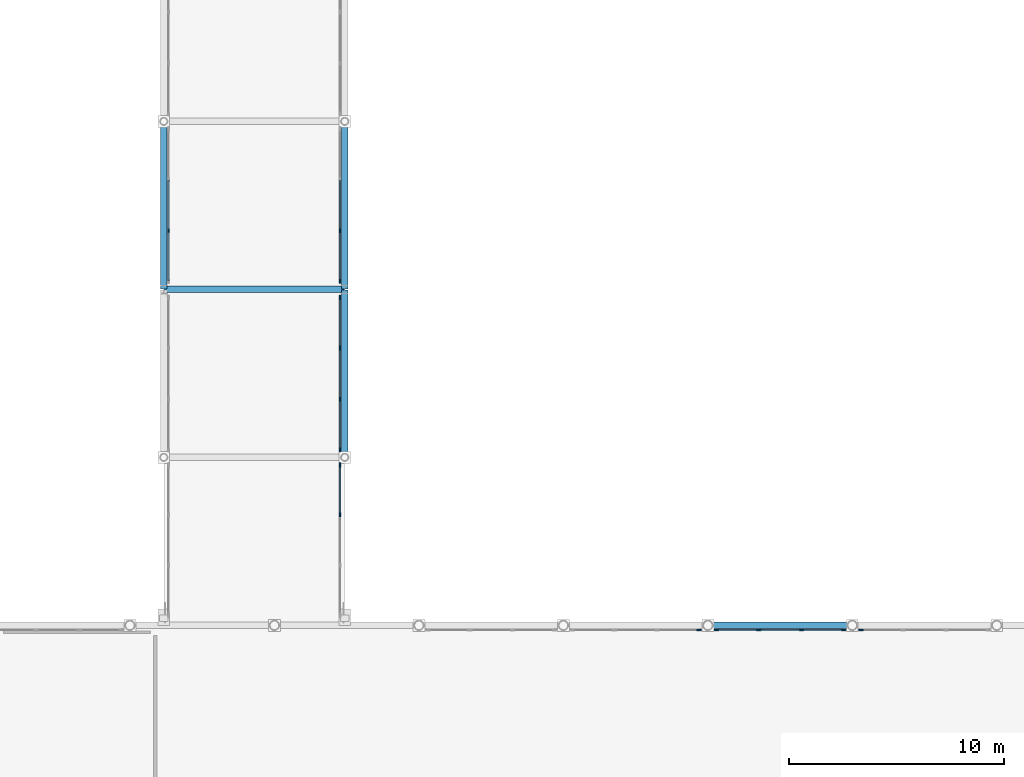
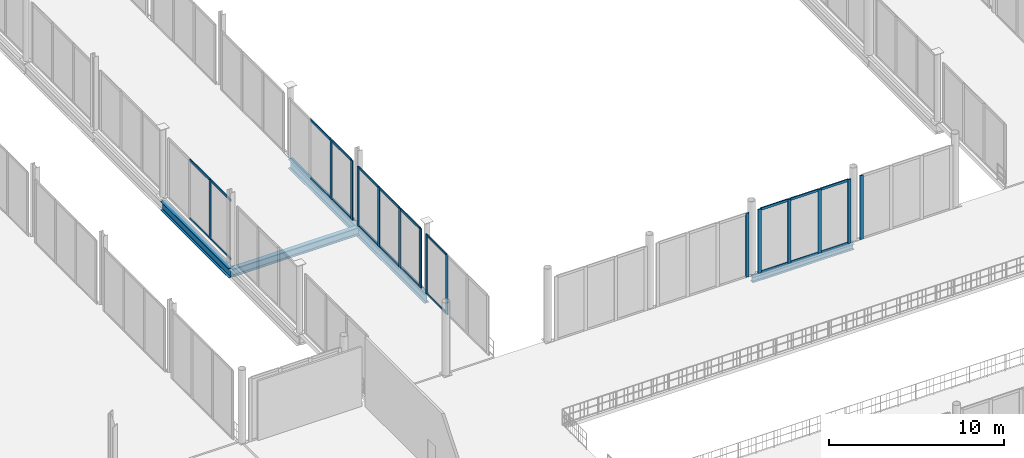
# One storey, part 36 of 105: 37 members, 5 beams, 7 elements without a shape of their own.
"""IFC4 building model written with IfcOpenShell, lengths in metres."""

from ifc_helpers import new_model, si_unit, direction, frame, origin, origin_2d, place, context, subcontext, project, spatial, rectangle, i_section, extrude, material, material_profile, profile_set, type_object, element, aggregate, save


model = new_model("IFC4")

# Units and contexts
model_context = context("Model", 3, precision=1e-05, world=origin(), true_north=direction((0.0, 1.0)))
body_context = subcontext(model_context, "Body", "Model", "MODEL_VIEW")
ifc_project = project(units=[si_unit("LENGTHUNIT", "METRE"), si_unit("AREAUNIT", "SQUARE_METRE"), si_unit("VOLUMEUNIT", "CUBIC_METRE"), si_unit("PLANEANGLEUNIT", "RADIAN"), si_unit("MASSUNIT", "GRAM", prefix="KILO")], contexts=[model_context])

# Site, building, storey
site_placement = place(None, origin())
site = spatial("IfcSite", under=ifc_project, at=site_placement, CompositionType="ELEMENT")
building_placement = place(site_placement, origin())
building = spatial("IfcBuilding", under=site, at=building_placement, Name="Nabrawat Pavilion Hospital", CompositionType="ELEMENT")
storey_placement = place(building_placement, frame((0.0, 0.0, 5.10009765625)))
storey = spatial("IfcBuildingStorey", under=building, at=storey_placement, Name="L01", CompositionType="ELEMENT", Elevation=5.10009765625)

# Beams
ifc_material_1 = material(Name="Steel S355", Category="steel")
ifc_material_profile_1 = material_profile(ifc_material_1, i_section(OverallWidth=0.300048828125, OverallDepth=0.64990234375, WebThickness=0.01611328125, FlangeThickness=0.031005859375, FilletRadius=0.027099609375, at=origin_2d()), Name="HEB 650")
ifc_profile_set_1 = profile_set([ifc_material_profile_1], Name="Steel S355")
beam_type_1 = type_object("IfcBeamType", Name="Courtyard Link Bridge Edge Girder HEB 650", PredefinedType="USERDEFINED", material=ifc_profile_set_1)
beam_1_placement = place(storey_placement, frame((67.199951171875, 54.6201171875, -0.614990234375), z_axis=(0.0, 1.0, 0.0), x_axis=(-1.0, 0.0, 0.0)))
element("IfcBeam", 1, at=beam_1_placement, inside=storey, type_object=beam_type_1, Name="L01 Courtyard Link Bridge Edge Girder 761", ObjectType="GIRDER", PredefinedType="USERDEFINED", context=body_context, shape_type="SweptSolid", body=[
    extrude(i_section(OverallWidth=0.300048828125, OverallDepth=0.64990234375, WebThickness=0.01611328125, FlangeThickness=0.031005859375, FilletRadius=0.027099609375, at=origin_2d()), origin(), (0.0, 0.0, 1.0), 7.759765625),
])
beam_2_placement = place(storey_placement, frame((75.60009765625, 46.820068359375, -0.614990234375), z_axis=(0.0, 1.0, 0.0), x_axis=(-1.0, 0.0, 0.0)))
element("IfcBeam", 2, at=beam_2_placement, inside=storey, type_object=beam_type_1, Name="L01 Courtyard Link Bridge Edge Girder 769", ObjectType="GIRDER", PredefinedType="USERDEFINED", context=body_context, shape_type="SweptSolid", body=[
    extrude(i_section(OverallWidth=0.300048828125, OverallDepth=0.64990234375, WebThickness=0.01611328125, FlangeThickness=0.031005859375, FilletRadius=0.027099609375, at=origin_2d()), origin(), (0.0, 0.0, 1.0), 7.760009765625),
])
beam_3_placement = place(storey_placement, frame((75.60009765625, 54.6201171875, -0.614990234375), z_axis=(0.0, 1.0, 0.0), x_axis=(-1.0, 0.0, 0.0)))
element("IfcBeam", 3, at=beam_3_placement, inside=storey, type_object=beam_type_1, Name="L01 Courtyard Link Bridge Edge Girder 770", ObjectType="GIRDER", PredefinedType="USERDEFINED", context=body_context, shape_type="SweptSolid", body=[
    extrude(i_section(OverallWidth=0.300048828125, OverallDepth=0.64990234375, WebThickness=0.01611328125, FlangeThickness=0.031005859375, FilletRadius=0.027099609375, at=origin_2d()), origin(), (0.0, 0.0, 1.0), 7.759765625),
])

# Curtain wall, member
ifc_material_2 = material(Name="Anodised Aluminium", Category="aluminium")
curtain_wall_type_1 = type_object("IfcCurtainWallType", Name="Courtyard Link Bridge Glazed Curtain Wall", PredefinedType="USERDEFINED", material=ifc_material_2)
curtain_wall_1_placement = place(storey_placement, origin())
curtain_wall_1 = element("IfcCurtainWall", 4, at=curtain_wall_1_placement, inside=storey, type_object=curtain_wall_type_1, Name="L01 Courtyard Link Bridge Glazed Curtain Wall 054", ObjectType="CURTAIN WALL", PredefinedType="USERDEFINED")
ifc_material_profile_2 = material_profile(ifc_material_2, rectangle(XDim=0.070068359375, YDim=0.199951171875, at=origin_2d()), Name="CWM 70x200")
ifc_profile_set_2 = profile_set([ifc_material_profile_2], Name="Anodised Aluminium")
member_type_1 = type_object("IfcMemberType", Name="Courtyard Link Bridge Glazed Curtain Wall Mullion CWM 70x200", PredefinedType="MULLION", material=ifc_profile_set_2)
member_1_placement = place(storey_placement, frame((67.419921875, 57.32080078125, 0.0), z_axis=(0.0, 0.0, 1.0), x_axis=(-1.0, 0.0, 0.0)))
member_1 = element("IfcMember", 5, at=member_1_placement, type_object=member_type_1, Name="CW-BRG-01 mullion 2", PredefinedType="MULLION", context=body_context, shape_type="SweptSolid", body=[
    extrude(rectangle(XDim=0.070068359375, YDim=0.199951171875, at=origin_2d()), origin(), (0.0, 0.0, 1.0), 4.139892578125),
])

# Curtain wall, members
curtain_wall_2_placement = place(storey_placement, origin())
curtain_wall_2 = element("IfcCurtainWall", 6, at=curtain_wall_2_placement, inside=storey, type_object=curtain_wall_type_1, Name="L01 Courtyard Link Bridge Glazed Curtain Wall 058", ObjectType="CURTAIN WALL", PredefinedType="USERDEFINED")
member_2_placement = place(storey_placement, frame((75.3798828125, 44.134765625, 0.0), z_axis=(0.0, 0.0, 1.0), x_axis=(-1.0, 0.0, 0.0)))
member_2 = element("IfcMember", 7, at=member_2_placement, type_object=member_type_1, Name="CW-BRG-01 mullion 3", PredefinedType="MULLION", context=body_context, shape_type="SweptSolid", body=[
    extrude(rectangle(XDim=0.070068359375, YDim=0.199951171875, at=origin_2d()), origin(), (0.0, 0.0, 1.0), 4.139892578125),
])
member_3_placement = place(storey_placement, frame((75.3798828125, 46.447265625, 0.0), z_axis=(0.0, 0.0, 1.0), x_axis=(-1.0, 0.0, 0.0)))
member_3 = element("IfcMember", 8, at=member_3_placement, type_object=member_type_1, Name="CW-BRG-01 mullion 4", PredefinedType="MULLION", context=body_context, shape_type="SweptSolid", body=[
    extrude(rectangle(XDim=0.070068359375, YDim=0.199951171875, at=origin_2d()), origin(), (0.0, 0.0, 1.0), 4.139892578125),
])

curtain_wall_3_placement = place(storey_placement, origin())
curtain_wall_3 = element("IfcCurtainWall", 9, at=curtain_wall_3_placement, inside=storey, type_object=curtain_wall_type_1, Name="L01 Courtyard Link Bridge Glazed Curtain Wall 059", ObjectType="CURTAIN WALL", PredefinedType="USERDEFINED")
member_4_placement = place(storey_placement, frame((75.3798828125, 47.15283203125, 0.0), z_axis=(0.0, 0.0, 1.0), x_axis=(-1.0, 0.0, 0.0)))
member_4 = element("IfcMember", 10, at=member_4_placement, type_object=member_type_1, Name="CW-BRG-01 mullion 1", PredefinedType="MULLION", context=body_context, shape_type="SweptSolid", body=[
    extrude(rectangle(XDim=0.070068359375, YDim=0.199951171875, at=origin_2d()), origin(), (0.0, 0.0, 1.0), 4.139892578125),
])
member_5_placement = place(storey_placement, frame((75.3798828125, 49.49853515625, 0.0), z_axis=(0.0, 0.0, 1.0), x_axis=(-1.0, 0.0, 0.0)))
member_5 = element("IfcMember", 11, at=member_5_placement, type_object=member_type_1, Name="CW-BRG-01 mullion 2", PredefinedType="MULLION", context=body_context, shape_type="SweptSolid", body=[
    extrude(rectangle(XDim=0.070068359375, YDim=0.199951171875, at=origin_2d()), origin(), (0.0, 0.0, 1.0), 4.139892578125),
])
member_6_placement = place(storey_placement, frame((75.3798828125, 51.879150390625, 0.0), z_axis=(0.0, 0.0, 1.0), x_axis=(-1.0, 0.0, 0.0)))
member_6 = element("IfcMember", 12, at=member_6_placement, type_object=member_type_1, Name="CW-BRG-01 mullion 3", PredefinedType="MULLION", context=body_context, shape_type="SweptSolid", body=[
    extrude(rectangle(XDim=0.070068359375, YDim=0.199951171875, at=origin_2d()), origin(), (0.0, 0.0, 1.0), 4.139892578125),
])
member_7_placement = place(storey_placement, frame((75.3798828125, 54.22509765625, 0.0), z_axis=(0.0, 0.0, 1.0), x_axis=(-1.0, 0.0, 0.0)))
member_7 = element("IfcMember", 13, at=member_7_placement, type_object=member_type_1, Name="CW-BRG-01 mullion 4", PredefinedType="MULLION", context=body_context, shape_type="SweptSolid", body=[
    extrude(rectangle(XDim=0.070068359375, YDim=0.199951171875, at=origin_2d()), origin(), (0.0, 0.0, 1.0), 4.139892578125),
])

curtain_wall_4_placement = place(storey_placement, origin())
curtain_wall_4 = element("IfcCurtainWall", 14, at=curtain_wall_4_placement, inside=storey, type_object=curtain_wall_type_1, Name="L01 Courtyard Link Bridge Glazed Curtain Wall 060", ObjectType="CURTAIN WALL", PredefinedType="USERDEFINED")
member_8_placement = place(storey_placement, frame((75.3798828125, 54.97509765625, 0.0), z_axis=(0.0, 0.0, 1.0), x_axis=(-1.0, 0.0, 0.0)))
member_8 = element("IfcMember", 15, at=member_8_placement, type_object=member_type_1, Name="CW-BRG-01 mullion 1", PredefinedType="MULLION", context=body_context, shape_type="SweptSolid", body=[
    extrude(rectangle(XDim=0.070068359375, YDim=0.199951171875, at=origin_2d()), origin(), (0.0, 0.0, 1.0), 4.139892578125),
])
member_9_placement = place(storey_placement, frame((75.3798828125, 57.32080078125, 0.0), z_axis=(0.0, 0.0, 1.0), x_axis=(-1.0, 0.0, 0.0)))
member_9 = element("IfcMember", 16, at=member_9_placement, type_object=member_type_1, Name="CW-BRG-01 mullion 2", PredefinedType="MULLION", context=body_context, shape_type="SweptSolid", body=[
    extrude(rectangle(XDim=0.070068359375, YDim=0.199951171875, at=origin_2d()), origin(), (0.0, 0.0, 1.0), 4.139892578125),
])

# Member
ifc_material_profile_3 = material_profile(ifc_material_2, rectangle(XDim=0.070068359375, YDim=0.14990234375, at=origin_2d()), Name="CWT 70x150")
ifc_profile_set_3 = profile_set([ifc_material_profile_3], Name="Anodised Aluminium")
member_type_2 = type_object("IfcMemberType", Name="Courtyard Link Bridge Glazed Curtain Wall Transom CWT 70x150", PredefinedType="USERDEFINED", material=ifc_profile_set_3)
member_10_placement = place(storey_placement, frame((67.419921875, 55.010009765625, 0.034912109375), z_axis=(0.0, 1.0, 0.0), x_axis=(-1.0, 0.0, 0.0)))
member_10 = element("IfcMember", 17, at=member_10_placement, type_object=member_type_2, Name="CW-BRG-01 transom 1.1", ObjectType="TRANSOM", PredefinedType="USERDEFINED", context=body_context, shape_type="SweptSolid", body=[
    extrude(rectangle(XDim=0.070068359375, YDim=0.14990234375, at=origin_2d()), origin(), (0.0, 0.0, 1.0), 2.275634765625),
])

member_11_placement = place(storey_placement, frame((67.419921875, 55.010009765625, 4.10498046875), z_axis=(0.0, 1.0, 0.0), x_axis=(-1.0, 0.0, 0.0)))
member_11 = element("IfcMember", 18, at=member_11_placement, type_object=member_type_2, Name="CW-BRG-01 transom 1.2", ObjectType="TRANSOM", PredefinedType="USERDEFINED", context=body_context, shape_type="SweptSolid", body=[
    extrude(rectangle(XDim=0.070068359375, YDim=0.14990234375, at=origin_2d()), origin(), (0.0, 0.0, 1.0), 2.275634765625),
])

member_12_placement = place(storey_placement, frame((67.419921875, 57.355712890625, 0.034912109375), z_axis=(0.0, 1.0, 0.0), x_axis=(-1.0, 0.0, 0.0)))
member_12 = element("IfcMember", 19, at=member_12_placement, type_object=member_type_2, Name="CW-BRG-01 transom 2.1", ObjectType="TRANSOM", PredefinedType="USERDEFINED", context=body_context, shape_type="SweptSolid", body=[
    extrude(rectangle(XDim=0.070068359375, YDim=0.14990234375, at=origin_2d()), origin(), (0.0, 0.0, 1.0), 2.310791015625),
])

member_13_placement = place(storey_placement, frame((67.419921875, 57.355712890625, 4.10498046875), z_axis=(0.0, 1.0, 0.0), x_axis=(-1.0, 0.0, 0.0)))
member_13 = element("IfcMember", 20, at=member_13_placement, type_object=member_type_2, Name="CW-BRG-01 transom 2.2", ObjectType="TRANSOM", PredefinedType="USERDEFINED", context=body_context, shape_type="SweptSolid", body=[
    extrude(rectangle(XDim=0.070068359375, YDim=0.14990234375, at=origin_2d()), origin(), (0.0, 0.0, 1.0), 2.310791015625),
])

aggregate(curtain_wall_1, [member_1, member_10, member_11, member_12, member_13])

member_14_placement = place(storey_placement, frame((75.3798828125, 44.169921875, 0.034912109375), z_axis=(0.0, 1.0, 0.0), x_axis=(-1.0, 0.0, 0.0)))
member_14 = element("IfcMember", 21, at=member_14_placement, type_object=member_type_2, Name="CW-BRG-01 transom 3.1", ObjectType="TRANSOM", PredefinedType="USERDEFINED", context=body_context, shape_type="SweptSolid", body=[
    extrude(rectangle(XDim=0.070068359375, YDim=0.14990234375, at=origin_2d()), origin(), (0.0, 0.0, 1.0), 2.2421875),
])

member_15_placement = place(storey_placement, frame((75.3798828125, 44.169921875, 4.10498046875), z_axis=(0.0, 1.0, 0.0), x_axis=(-1.0, 0.0, 0.0)))
member_15 = element("IfcMember", 22, at=member_15_placement, type_object=member_type_2, Name="CW-BRG-01 transom 3.2", ObjectType="TRANSOM", PredefinedType="USERDEFINED", context=body_context, shape_type="SweptSolid", body=[
    extrude(rectangle(XDim=0.070068359375, YDim=0.14990234375, at=origin_2d()), origin(), (0.0, 0.0, 1.0), 2.2421875),
])

aggregate(curtain_wall_2, [member_2, member_3, member_14, member_15])

member_16_placement = place(storey_placement, frame((75.3798828125, 47.187744140625, 0.034912109375), z_axis=(0.0, 1.0, 0.0), x_axis=(-1.0, 0.0, 0.0)))
member_16 = element("IfcMember", 23, at=member_16_placement, type_object=member_type_2, Name="CW-BRG-01 transom 1.1", ObjectType="TRANSOM", PredefinedType="USERDEFINED", context=body_context, shape_type="SweptSolid", body=[
    extrude(rectangle(XDim=0.070068359375, YDim=0.14990234375, at=origin_2d()), origin(), (0.0, 0.0, 1.0), 2.27587890625),
])

member_17_placement = place(storey_placement, frame((75.3798828125, 47.187744140625, 4.10498046875), z_axis=(0.0, 1.0, 0.0), x_axis=(-1.0, 0.0, 0.0)))
member_17 = element("IfcMember", 24, at=member_17_placement, type_object=member_type_2, Name="CW-BRG-01 transom 1.2", ObjectType="TRANSOM", PredefinedType="USERDEFINED", context=body_context, shape_type="SweptSolid", body=[
    extrude(rectangle(XDim=0.070068359375, YDim=0.14990234375, at=origin_2d()), origin(), (0.0, 0.0, 1.0), 2.27587890625),
])

member_18_placement = place(storey_placement, frame((75.3798828125, 49.533447265625, 0.034912109375), z_axis=(0.0, 1.0, 0.0), x_axis=(-1.0, 0.0, 0.0)))
member_18 = element("IfcMember", 25, at=member_18_placement, type_object=member_type_2, Name="CW-BRG-01 transom 2.1", ObjectType="TRANSOM", PredefinedType="USERDEFINED", context=body_context, shape_type="SweptSolid", body=[
    extrude(rectangle(XDim=0.070068359375, YDim=0.14990234375, at=origin_2d()), origin(), (0.0, 0.0, 1.0), 2.310791015625),
])

member_19_placement = place(storey_placement, frame((75.3798828125, 49.533447265625, 4.10498046875), z_axis=(0.0, 1.0, 0.0), x_axis=(-1.0, 0.0, 0.0)))
member_19 = element("IfcMember", 26, at=member_19_placement, type_object=member_type_2, Name="CW-BRG-01 transom 2.2", ObjectType="TRANSOM", PredefinedType="USERDEFINED", context=body_context, shape_type="SweptSolid", body=[
    extrude(rectangle(XDim=0.070068359375, YDim=0.14990234375, at=origin_2d()), origin(), (0.0, 0.0, 1.0), 2.310791015625),
])

member_20_placement = place(storey_placement, frame((75.3798828125, 51.914306640625, 0.034912109375), z_axis=(0.0, 1.0, 0.0), x_axis=(-1.0, 0.0, 0.0)))
member_20 = element("IfcMember", 27, at=member_20_placement, type_object=member_type_2, Name="CW-BRG-01 transom 3.1", ObjectType="TRANSOM", PredefinedType="USERDEFINED", context=body_context, shape_type="SweptSolid", body=[
    extrude(rectangle(XDim=0.070068359375, YDim=0.14990234375, at=origin_2d()), origin(), (0.0, 0.0, 1.0), 2.275634765625),
])

member_21_placement = place(storey_placement, frame((75.3798828125, 51.914306640625, 4.10498046875), z_axis=(0.0, 1.0, 0.0), x_axis=(-1.0, 0.0, 0.0)))
member_21 = element("IfcMember", 28, at=member_21_placement, type_object=member_type_2, Name="CW-BRG-01 transom 3.2", ObjectType="TRANSOM", PredefinedType="USERDEFINED", context=body_context, shape_type="SweptSolid", body=[
    extrude(rectangle(XDim=0.070068359375, YDim=0.14990234375, at=origin_2d()), origin(), (0.0, 0.0, 1.0), 2.275634765625),
])

aggregate(curtain_wall_3, [member_4, member_5, member_6, member_7, member_16, member_17, member_18, member_19, member_20, member_21])

member_22_placement = place(storey_placement, frame((75.3798828125, 55.010009765625, 0.034912109375), z_axis=(0.0, 1.0, 0.0), x_axis=(-1.0, 0.0, 0.0)))
member_22 = element("IfcMember", 29, at=member_22_placement, type_object=member_type_2, Name="CW-BRG-01 transom 1.1", ObjectType="TRANSOM", PredefinedType="USERDEFINED", context=body_context, shape_type="SweptSolid", body=[
    extrude(rectangle(XDim=0.070068359375, YDim=0.14990234375, at=origin_2d()), origin(), (0.0, 0.0, 1.0), 2.275634765625),
])

member_23_placement = place(storey_placement, frame((75.3798828125, 55.010009765625, 4.10498046875), z_axis=(0.0, 1.0, 0.0), x_axis=(-1.0, 0.0, 0.0)))
member_23 = element("IfcMember", 30, at=member_23_placement, type_object=member_type_2, Name="CW-BRG-01 transom 1.2", ObjectType="TRANSOM", PredefinedType="USERDEFINED", context=body_context, shape_type="SweptSolid", body=[
    extrude(rectangle(XDim=0.070068359375, YDim=0.14990234375, at=origin_2d()), origin(), (0.0, 0.0, 1.0), 2.275634765625),
])

member_24_placement = place(storey_placement, frame((75.3798828125, 57.355712890625, 0.034912109375), z_axis=(0.0, 1.0, 0.0), x_axis=(-1.0, 0.0, 0.0)))
member_24 = element("IfcMember", 31, at=member_24_placement, type_object=member_type_2, Name="CW-BRG-01 transom 2.1", ObjectType="TRANSOM", PredefinedType="USERDEFINED", context=body_context, shape_type="SweptSolid", body=[
    extrude(rectangle(XDim=0.070068359375, YDim=0.14990234375, at=origin_2d()), origin(), (0.0, 0.0, 1.0), 2.310791015625),
])

member_25_placement = place(storey_placement, frame((75.3798828125, 57.355712890625, 4.10498046875), z_axis=(0.0, 1.0, 0.0), x_axis=(-1.0, 0.0, 0.0)))
member_25 = element("IfcMember", 32, at=member_25_placement, type_object=member_type_2, Name="CW-BRG-01 transom 2.2", ObjectType="TRANSOM", PredefinedType="USERDEFINED", context=body_context, shape_type="SweptSolid", body=[
    extrude(rectangle(XDim=0.070068359375, YDim=0.14990234375, at=origin_2d()), origin(), (0.0, 0.0, 1.0), 2.310791015625),
])

aggregate(curtain_wall_4, [member_8, member_9, member_22, member_23, member_24, member_25])

# Curtain wall, member
curtain_wall_type_2 = type_object("IfcCurtainWallType", Name="Main Hall Pavilion Unitised Curtain Wall", PredefinedType="USERDEFINED", material=ifc_material_2)
curtain_wall_5_placement = place(storey_placement, origin())
curtain_wall_5 = element("IfcCurtainWall", 33, at=curtain_wall_5_placement, inside=storey, type_object=curtain_wall_type_2, Name="L01 Main Hall Pavilion Unitised Curtain Wall 065", ObjectType="CURTAIN WALL", PredefinedType="USERDEFINED")
ifc_material_profile_4 = material_profile(ifc_material_2, rectangle(XDim=0.074951171875, YDim=0.219970703125, at=origin_2d()), Name="CWM 75x220")
ifc_profile_set_4 = profile_set([ifc_material_profile_4], Name="Anodised Aluminium")
member_type_3 = type_object("IfcMemberType", Name="Main Hall Pavilion Unitised Curtain Wall Mullion CWM 75x220", PredefinedType="MULLION", material=ifc_profile_set_4)
member_26_placement = place(storey_placement, frame((92.053955078125, 38.780029296875, 0.0), z_axis=(0.0, 0.0, 1.0), x_axis=(0.0, 1.0, 0.0)))
member_26 = element("IfcMember", 34, at=member_26_placement, type_object=member_type_3, Name="CW-MH-01 mullion 4", PredefinedType="MULLION", context=body_context, shape_type="SweptSolid", body=[
    extrude(rectangle(XDim=0.074951171875, YDim=0.219970703125, at=origin_2d()), origin(), (0.0, 0.0, 1.0), 4.449951171875),
])
aggregate(curtain_wall_5, [member_26])

# Curtain wall, members
curtain_wall_6_placement = place(storey_placement, origin())
curtain_wall_6 = element("IfcCurtainWall", 35, at=curtain_wall_6_placement, inside=storey, type_object=curtain_wall_type_2, Name="L01 Main Hall Pavilion Unitised Curtain Wall 066", ObjectType="CURTAIN WALL", PredefinedType="USERDEFINED")
member_27_placement = place(storey_placement, frame((92.865966796875, 38.780029296875, 0.0), z_axis=(0.0, 0.0, 1.0), x_axis=(0.0, 1.0, 0.0)))
member_27 = element("IfcMember", 36, at=member_27_placement, type_object=member_type_3, Name="CW-MH-01 mullion 1", PredefinedType="MULLION", context=body_context, shape_type="SweptSolid", body=[
    extrude(rectangle(XDim=0.074951171875, YDim=0.219970703125, at=origin_2d()), origin(), (0.0, 0.0, 1.0), 4.449951171875),
])
member_28_placement = place(storey_placement, frame((94.81884765625, 38.780029296875, 0.0), z_axis=(0.0, 0.0, 1.0), x_axis=(0.0, 1.0, 0.0)))
member_28 = element("IfcMember", 37, at=member_28_placement, type_object=member_type_3, Name="CW-MH-01 mullion 2", PredefinedType="MULLION", context=body_context, shape_type="SweptSolid", body=[
    extrude(rectangle(XDim=0.074951171875, YDim=0.219970703125, at=origin_2d()), origin(), (0.0, 0.0, 1.0), 4.449951171875),
])
member_29_placement = place(storey_placement, frame((96.80908203125, 38.780029296875, 0.0), z_axis=(0.0, 0.0, 1.0), x_axis=(0.0, 1.0, 0.0)))
member_29 = element("IfcMember", 38, at=member_29_placement, type_object=member_type_3, Name="CW-MH-01 mullion 3", PredefinedType="MULLION", context=body_context, shape_type="SweptSolid", body=[
    extrude(rectangle(XDim=0.074951171875, YDim=0.219970703125, at=origin_2d()), origin(), (0.0, 0.0, 1.0), 4.449951171875),
])
member_30_placement = place(storey_placement, frame((98.761962890625, 38.780029296875, 0.0), z_axis=(0.0, 0.0, 1.0), x_axis=(0.0, 1.0, 0.0)))
member_30 = element("IfcMember", 39, at=member_30_placement, type_object=member_type_3, Name="CW-MH-01 mullion 4", PredefinedType="MULLION", context=body_context, shape_type="SweptSolid", body=[
    extrude(rectangle(XDim=0.074951171875, YDim=0.219970703125, at=origin_2d()), origin(), (0.0, 0.0, 1.0), 4.449951171875),
])

# Curtain wall, member
curtain_wall_7_placement = place(storey_placement, origin())
curtain_wall_7 = element("IfcCurtainWall", 40, at=curtain_wall_7_placement, inside=storey, type_object=curtain_wall_type_2, Name="L01 Main Hall Pavilion Unitised Curtain Wall 067", ObjectType="CURTAIN WALL", PredefinedType="USERDEFINED")
member_31_placement = place(storey_placement, frame((99.573974609375, 38.780029296875, 0.0), z_axis=(0.0, 0.0, 1.0), x_axis=(0.0, 1.0, 0.0)))
member_31 = element("IfcMember", 41, at=member_31_placement, type_object=member_type_3, Name="CW-MH-01 mullion 1", PredefinedType="MULLION", context=body_context, shape_type="SweptSolid", body=[
    extrude(rectangle(XDim=0.074951171875, YDim=0.219970703125, at=origin_2d()), origin(), (0.0, 0.0, 1.0), 4.449951171875),
])
aggregate(curtain_wall_7, [member_31])

# Member
ifc_material_profile_5 = material_profile(ifc_material_2, rectangle(XDim=0.074951171875, YDim=0.1650390625, at=origin_2d()), Name="CWT 75x165")
ifc_profile_set_5 = profile_set([ifc_material_profile_5], Name="Anodised Aluminium")
member_type_4 = type_object("IfcMemberType", Name="Main Hall Pavilion Unitised Curtain Wall Transom CWT 75x165", PredefinedType="USERDEFINED", material=ifc_profile_set_5)
member_32_placement = place(storey_placement, frame((92.903564453125, 38.780029296875, 0.037353515625), z_axis=(1.0, 0.0, 0.0), x_axis=(0.0, 1.0, 0.0)))
member_32 = element("IfcMember", 42, at=member_32_placement, type_object=member_type_4, Name="CW-MH-01 transom 1.1", ObjectType="TRANSOM", PredefinedType="USERDEFINED", context=body_context, shape_type="SweptSolid", body=[
    extrude(rectangle(XDim=0.074951171875, YDim=0.1650390625, at=origin_2d()), origin(), (0.0, 0.0, 1.0), 1.877685546875),
])

member_33_placement = place(storey_placement, frame((92.903564453125, 38.780029296875, 4.412353515625), z_axis=(1.0, 0.0, 0.0), x_axis=(0.0, 1.0, 0.0)))
member_33 = element("IfcMember", 43, at=member_33_placement, type_object=member_type_4, Name="CW-MH-01 transom 1.2", ObjectType="TRANSOM", PredefinedType="USERDEFINED", context=body_context, shape_type="SweptSolid", body=[
    extrude(rectangle(XDim=0.074951171875, YDim=0.1650390625, at=origin_2d()), origin(), (0.0, 0.0, 1.0), 1.877685546875),
])

member_34_placement = place(storey_placement, frame((94.8564453125, 38.780029296875, 0.037353515625), z_axis=(1.0, 0.0, 0.0), x_axis=(0.0, 1.0, 0.0)))
member_34 = element("IfcMember", 44, at=member_34_placement, type_object=member_type_4, Name="CW-MH-01 transom 2.1", ObjectType="TRANSOM", PredefinedType="USERDEFINED", context=body_context, shape_type="SweptSolid", body=[
    extrude(rectangle(XDim=0.074951171875, YDim=0.1650390625, at=origin_2d()), origin(), (0.0, 0.0, 1.0), 1.915283203125),
])

member_35_placement = place(storey_placement, frame((94.8564453125, 38.780029296875, 4.412353515625), z_axis=(1.0, 0.0, 0.0), x_axis=(0.0, 1.0, 0.0)))
member_35 = element("IfcMember", 45, at=member_35_placement, type_object=member_type_4, Name="CW-MH-01 transom 2.2", ObjectType="TRANSOM", PredefinedType="USERDEFINED", context=body_context, shape_type="SweptSolid", body=[
    extrude(rectangle(XDim=0.074951171875, YDim=0.1650390625, at=origin_2d()), origin(), (0.0, 0.0, 1.0), 1.915283203125),
])

member_36_placement = place(storey_placement, frame((96.8466796875, 38.780029296875, 0.037353515625), z_axis=(1.0, 0.0, 0.0), x_axis=(0.0, 1.0, 0.0)))
member_36 = element("IfcMember", 46, at=member_36_placement, type_object=member_type_4, Name="CW-MH-01 transom 3.1", ObjectType="TRANSOM", PredefinedType="USERDEFINED", context=body_context, shape_type="SweptSolid", body=[
    extrude(rectangle(XDim=0.074951171875, YDim=0.1650390625, at=origin_2d()), origin(), (0.0, 0.0, 1.0), 1.8779296875),
])

member_37_placement = place(storey_placement, frame((96.8466796875, 38.780029296875, 4.412353515625), z_axis=(1.0, 0.0, 0.0), x_axis=(0.0, 1.0, 0.0)))
member_37 = element("IfcMember", 47, at=member_37_placement, type_object=member_type_4, Name="CW-MH-01 transom 3.2", ObjectType="TRANSOM", PredefinedType="USERDEFINED", context=body_context, shape_type="SweptSolid", body=[
    extrude(rectangle(XDim=0.074951171875, YDim=0.1650390625, at=origin_2d()), origin(), (0.0, 0.0, 1.0), 1.8779296875),
])

aggregate(curtain_wall_6, [member_27, member_28, member_29, member_30, member_32, member_33, member_34, member_35, member_36, member_37])

# Beams
ifc_material_profile_6 = material_profile(ifc_material_1, i_section(OverallWidth=0.300048828125, OverallDepth=0.389892578125, WebThickness=0.010986328125, FlangeThickness=0.01904296875, FilletRadius=0.027099609375, at=origin_2d()), Name="HEA 400")
ifc_profile_set_6 = profile_set([ifc_material_profile_6], Name="Steel S355")
beam_type_2 = type_object("IfcBeamType", Name="Perimeter Moment Spandrel Beam HEA 400", PredefinedType="SPANDREL", material=ifc_profile_set_6)
beam_4_placement = place(storey_placement, frame((92.47998046875, 39.0, -0.43505859375), z_axis=(1.0, 0.0, 0.0), x_axis=(0.0, 1.0, 0.0)))
element("IfcBeam", 48, at=beam_4_placement, inside=storey, type_object=beam_type_2, Name="L01 Primary X Girder 523", PredefinedType="SPANDREL", context=body_context, shape_type="SweptSolid", body=[
    extrude(i_section(OverallWidth=0.300048828125, OverallDepth=0.389892578125, WebThickness=0.010986328125, FlangeThickness=0.01904296875, FilletRadius=0.027099609375, at=origin_2d()), origin(), (0.0, 0.0, 1.0), 6.66796875),
])
ifc_material_profile_7 = material_profile(ifc_material_1, i_section(OverallWidth=0.300048828125, OverallDepth=0.550048828125, WebThickness=0.014892578125, FlangeThickness=0.029052734375, FilletRadius=0.027099609375, at=origin_2d()), Name="HEB 550")
ifc_profile_set_7 = profile_set([ifc_material_profile_7], Name="Steel S355")
beam_type_3 = type_object("IfcBeamType", Name="Primary Floor Girder HEB 550", PredefinedType="USERDEFINED", material=ifc_profile_set_7)
beam_5_placement = place(storey_placement, frame((67.219970703125, 54.60009765625, -0.565185546875), z_axis=(1.0, 0.0, 0.0), x_axis=(0.0, 1.0, 0.0)))
element("IfcBeam", 49, at=beam_5_placement, inside=storey, type_object=beam_type_3, Name="L01 Courtyard Link Bridge Girder 552", ObjectType="GIRDER", PredefinedType="USERDEFINED", context=body_context, shape_type="SweptSolid", body=[
    extrude(i_section(OverallWidth=0.300048828125, OverallDepth=0.550048828125, WebThickness=0.014892578125, FlangeThickness=0.029052734375, FilletRadius=0.027099609375, at=origin_2d()), origin(), (0.0, 0.0, 1.0), 8.360107421875),
])

save(model, "model.ifc")
